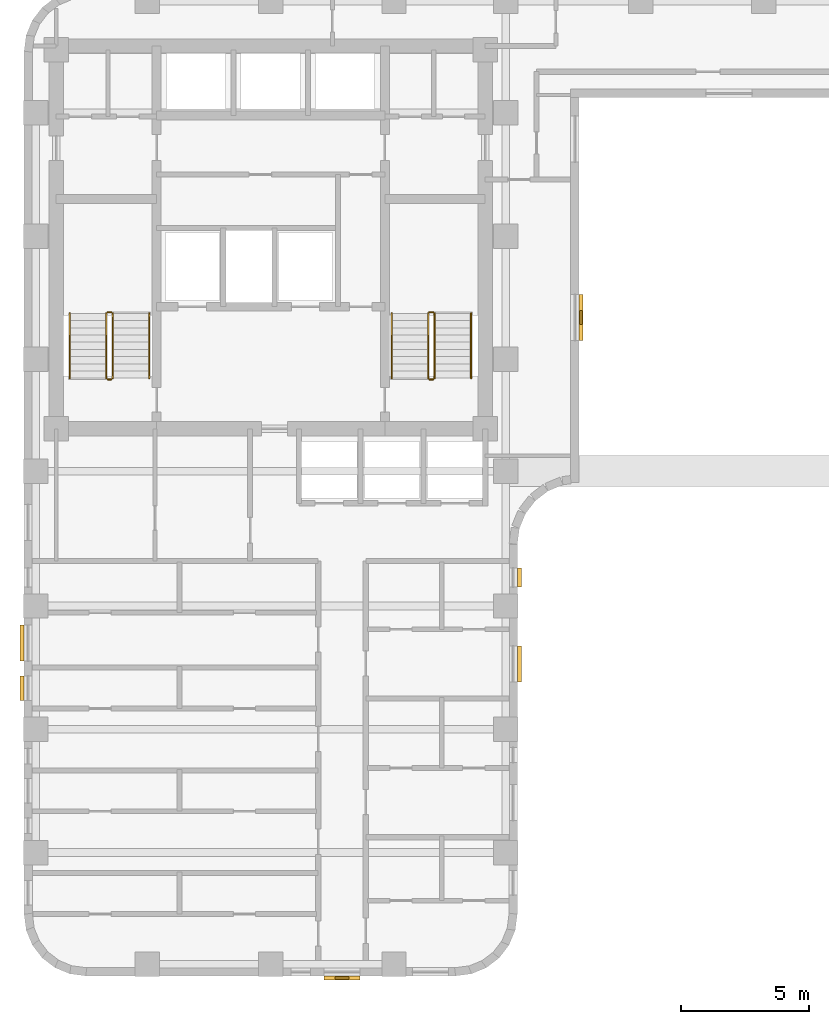
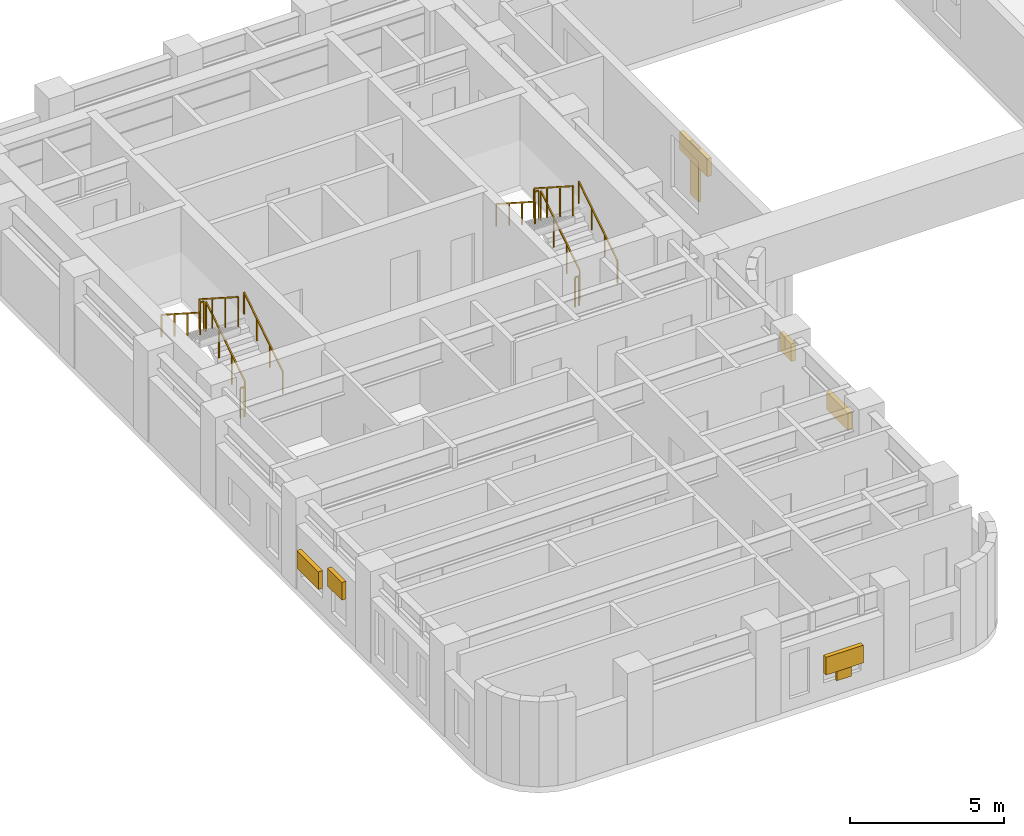
# One storey, part 7 of 8: 12 railings, 8 shading devices.
"""IFC4 building model written with IfcOpenShell, lengths in metres."""

from ifc_helpers import new_model, si_unit, direction, frame, origin, origin_2d, place, context, subcontext, project, spatial, rectangle, extrude, material, type_object, element, save


model = new_model("IFC4")

# Units and contexts
model_context = context("Model", 3, precision=1e-05, world=origin(), true_north=direction((0.0, 1.0)))
body_context = subcontext(model_context, "Body", "Model", "MODEL_VIEW")
ifc_project = project(units=[si_unit("LENGTHUNIT", "METRE"), si_unit("AREAUNIT", "SQUARE_METRE"), si_unit("VOLUMEUNIT", "CUBIC_METRE"), si_unit("PLANEANGLEUNIT", "RADIAN"), si_unit("MASSUNIT", "GRAM", prefix="KILO")], contexts=[model_context])

# Site, building, storey
site_placement = place(None, origin())
site = spatial("IfcSite", under=ifc_project, at=site_placement, CompositionType="ELEMENT")
building_placement = place(site_placement, origin())
building = spatial("IfcBuilding", under=site, at=building_placement, Name="Orvandelia Arch Residences", CompositionType="ELEMENT")
storey_placement = place(building_placement, frame((0.0, 0.0, 107.199951171875)))
storey = spatial("IfcBuildingStorey", under=building, at=storey_placement, Name="L27", CompositionType="ELEMENT", Elevation=107.199951171875)

# Railings
ifc_material_1 = material(Name="Brushed Stainless Steel 304", Category="steel")
railing_type_1 = type_object("IfcRailingType", Name="RL-STAIR-GD1120", PredefinedType="GUARDRAIL", material=ifc_material_1)
railing_1_placement = place(storey_placement, frame((8.25, 32.8701171875, 0.179931640625)))
element("IfcRailing", 1, at=railing_1_placement, inside=storey, type_object=railing_type_1, Name="L27 ST-1 stair guard 1", PredefinedType="GUARDRAIL", context=body_context, shape_type="SweptSolid", body=[
    extrude(rectangle(XDim=0.048095703125, YDim=0.048095703125, at=origin_2d()), frame((0.0, 0.0, 1.17578125), z_axis=(0.0, 0.841138753965, 0.540819375188), x_axis=(-1.0, 0.0, 0.0)), (0.0, 0.0, 1.0), 2.99560546875),
    extrude(rectangle(XDim=0.0419921875, YDim=0.0419921875, at=origin_2d()), origin(), (0.0, 0.0, 1.0), 1.15185546875),
    extrude(rectangle(XDim=0.0419921875, YDim=0.0419921875, at=origin_2d()), frame((0.0, 0.83984375, 0.5400390625)), (0.0, 0.0, 1.0), 1.15185546875),
    extrude(rectangle(XDim=0.0419921875, YDim=0.0419921875, at=origin_2d()), frame((0.0, 1.679931640625, 1.080078125)), (0.0, 0.0, 1.0), 1.15185546875),
    extrude(rectangle(XDim=0.0419921875, YDim=0.0419921875, at=origin_2d()), frame((0.0, 2.519775390625, 1.6201171875)), (0.0, 0.0, 1.0), 1.15185546875),
])
railing_2_placement = place(storey_placement, frame((8.199951171875, 35.43994140625, 1.800048828125)))
element("IfcRailing", 2, at=railing_2_placement, inside=storey, type_object=railing_type_1, Name="L27 ST-1 stair guard 2", PredefinedType="GUARDRAIL", context=body_context, shape_type="SweptSolid", body=[
    extrude(rectangle(XDim=0.048095703125, YDim=0.048095703125, at=origin_2d()), frame((0.0, 0.0, 1.17578125), z_axis=(-1.0, 0.0, 0.0), x_axis=(0.0, -1.0, 0.0)), (0.0, 0.0, 1.0), 0.14990234375),
    extrude(rectangle(XDim=0.0419921875, YDim=0.0419921875, at=origin_2d()), origin(), (0.0, 0.0, 1.0), 1.15185546875),
    extrude(rectangle(XDim=0.0419921875, YDim=0.0419921875, at=origin_2d()), frame((-0.14990234375, 0.0, 0.0)), (0.0, 0.0, 1.0), 1.15185546875),
])
railing_3_placement = place(storey_placement, frame((8.0, 35.389892578125, 1.97998046875)))
element("IfcRailing", 3, at=railing_3_placement, inside=storey, type_object=railing_type_1, Name="L27 ST-1 stair guard 3", PredefinedType="GUARDRAIL", context=body_context, shape_type="SweptSolid", body=[
    extrude(rectangle(XDim=0.048095703125, YDim=0.048095703125, at=origin_2d()), frame((0.0, 0.0, 1.17578125), z_axis=(0.0, -0.841138753965, 0.540819375188), x_axis=(1.0, 0.0, 0.0)), (0.0, 0.0, 1.0), 2.99560546875),
    extrude(rectangle(XDim=0.0419921875, YDim=0.0419921875, at=origin_2d()), origin(), (0.0, 0.0, 1.0), 1.15185546875),
    extrude(rectangle(XDim=0.0419921875, YDim=0.0419921875, at=origin_2d()), frame((0.0, -0.83984375, 0.5400390625)), (0.0, 0.0, 1.0), 1.15185546875),
    extrude(rectangle(XDim=0.0419921875, YDim=0.0419921875, at=origin_2d()), frame((0.0, -1.679931640625, 1.080078125)), (0.0, 0.0, 1.0), 1.15185546875),
    extrude(rectangle(XDim=0.0419921875, YDim=0.0419921875, at=origin_2d()), frame((0.0, -2.519775390625, 1.6201171875)), (0.0, 0.0, 1.0), 1.15185546875),
])
railing_4_placement = place(storey_placement, frame((8.199951171875, 32.820068359375, 0.0)))
element("IfcRailing", 4, at=railing_4_placement, inside=storey, type_object=railing_type_1, Name="L27 ST-1 stair guard 4", PredefinedType="GUARDRAIL", context=body_context, shape_type="SweptSolid", body=[
    extrude(rectangle(XDim=0.048095703125, YDim=0.048095703125, at=origin_2d()), frame((0.0, 0.0, 1.17578125), z_axis=(-1.0, 0.0, 0.0), x_axis=(0.0, -1.0, 0.0)), (0.0, 0.0, 1.0), 0.14990234375),
    extrude(rectangle(XDim=0.0419921875, YDim=0.0419921875, at=origin_2d()), origin(), (0.0, 0.0, 1.0), 1.15185546875),
    extrude(rectangle(XDim=0.0419921875, YDim=0.0419921875, at=origin_2d()), frame((-0.14990234375, 0.0, 0.0)), (0.0, 0.0, 1.0), 1.15185546875),
])
railing_5_placement = place(storey_placement, frame((20.780029296875, 32.8701171875, 0.179931640625)))
element("IfcRailing", 5, at=railing_5_placement, inside=storey, type_object=railing_type_1, Name="L27 ST-2 stair guard 1", PredefinedType="GUARDRAIL", context=body_context, shape_type="SweptSolid", body=[
    extrude(rectangle(XDim=0.048095703125, YDim=0.048095703125, at=origin_2d()), frame((0.0, 0.0, 1.17578125), z_axis=(0.0, 0.841138753965, 0.540819375188), x_axis=(-1.0, 0.0, 0.0)), (0.0, 0.0, 1.0), 2.99560546875),
    extrude(rectangle(XDim=0.0419921875, YDim=0.0419921875, at=origin_2d()), origin(), (0.0, 0.0, 1.0), 1.15185546875),
    extrude(rectangle(XDim=0.0419921875, YDim=0.0419921875, at=origin_2d()), frame((0.0, 0.83984375, 0.5400390625)), (0.0, 0.0, 1.0), 1.15185546875),
    extrude(rectangle(XDim=0.0419921875, YDim=0.0419921875, at=origin_2d()), frame((0.0, 1.679931640625, 1.080078125)), (0.0, 0.0, 1.0), 1.15185546875),
    extrude(rectangle(XDim=0.0419921875, YDim=0.0419921875, at=origin_2d()), frame((0.0, 2.519775390625, 1.6201171875)), (0.0, 0.0, 1.0), 1.15185546875),
])
railing_6_placement = place(storey_placement, frame((20.72998046875, 35.43994140625, 1.800048828125)))
element("IfcRailing", 6, at=railing_6_placement, inside=storey, type_object=railing_type_1, Name="L27 ST-2 stair guard 2", PredefinedType="GUARDRAIL", context=body_context, shape_type="SweptSolid", body=[
    extrude(rectangle(XDim=0.048095703125, YDim=0.048095703125, at=origin_2d()), frame((0.0, 0.0, 1.17578125), z_axis=(-1.0, 0.0, 0.0), x_axis=(0.0, -1.0, 0.0)), (0.0, 0.0, 1.0), 0.14990234375),
    extrude(rectangle(XDim=0.0419921875, YDim=0.0419921875, at=origin_2d()), origin(), (0.0, 0.0, 1.0), 1.15185546875),
    extrude(rectangle(XDim=0.0419921875, YDim=0.0419921875, at=origin_2d()), frame((-0.14990234375, 0.0, 0.0)), (0.0, 0.0, 1.0), 1.15185546875),
])
railing_7_placement = place(storey_placement, frame((20.530029296875, 35.389892578125, 1.97998046875)))
element("IfcRailing", 7, at=railing_7_placement, inside=storey, type_object=railing_type_1, Name="L27 ST-2 stair guard 3", PredefinedType="GUARDRAIL", context=body_context, shape_type="SweptSolid", body=[
    extrude(rectangle(XDim=0.048095703125, YDim=0.048095703125, at=origin_2d()), frame((0.0, 0.0, 1.17578125), z_axis=(0.0, -0.841138753965, 0.540819375188), x_axis=(1.0, 0.0, 0.0)), (0.0, 0.0, 1.0), 2.99560546875),
    extrude(rectangle(XDim=0.0419921875, YDim=0.0419921875, at=origin_2d()), origin(), (0.0, 0.0, 1.0), 1.15185546875),
    extrude(rectangle(XDim=0.0419921875, YDim=0.0419921875, at=origin_2d()), frame((0.0, -0.83984375, 0.5400390625)), (0.0, 0.0, 1.0), 1.15185546875),
    extrude(rectangle(XDim=0.0419921875, YDim=0.0419921875, at=origin_2d()), frame((0.0, -1.679931640625, 1.080078125)), (0.0, 0.0, 1.0), 1.15185546875),
    extrude(rectangle(XDim=0.0419921875, YDim=0.0419921875, at=origin_2d()), frame((0.0, -2.519775390625, 1.6201171875)), (0.0, 0.0, 1.0), 1.15185546875),
])
railing_8_placement = place(storey_placement, frame((20.72998046875, 32.820068359375, 0.0)))
element("IfcRailing", 8, at=railing_8_placement, inside=storey, type_object=railing_type_1, Name="L27 ST-2 stair guard 4", PredefinedType="GUARDRAIL", context=body_context, shape_type="SweptSolid", body=[
    extrude(rectangle(XDim=0.048095703125, YDim=0.048095703125, at=origin_2d()), frame((0.0, 0.0, 1.17578125), z_axis=(-1.0, 0.0, 0.0), x_axis=(0.0, -1.0, 0.0)), (0.0, 0.0, 1.0), 0.14990234375),
    extrude(rectangle(XDim=0.0419921875, YDim=0.0419921875, at=origin_2d()), origin(), (0.0, 0.0, 1.0), 1.15185546875),
    extrude(rectangle(XDim=0.0419921875, YDim=0.0419921875, at=origin_2d()), frame((-0.14990234375, 0.0, 0.0)), (0.0, 0.0, 1.0), 1.15185546875),
])
railing_type_2 = type_object("IfcRailingType", Name="RL-STAIR-HR920", PredefinedType="HANDRAIL", material=ifc_material_1)
railing_9_placement = place(storey_placement, frame((9.669921875, 32.8701171875, 0.360107421875)))
element("IfcRailing", 9, at=railing_9_placement, inside=storey, type_object=railing_type_2, Name="L27 ST-1 stair handrail 1", PredefinedType="HANDRAIL", context=body_context, shape_type="SweptSolid", body=[
    extrude(rectangle(XDim=0.048095703125, YDim=0.048095703125, at=origin_2d()), frame((0.0, 0.0, 0.8759765625), z_axis=(0.0, 0.841175827307, 0.540761710511), x_axis=(-1.0, 0.0, 0.0)), (0.0, 0.0, 1.0), 2.99560546875),
    extrude(rectangle(XDim=0.0419921875, YDim=0.0419921875, at=origin_2d()), origin(), (0.0, 0.0, 1.0), 0.851806640625),
    extrude(rectangle(XDim=0.0419921875, YDim=0.0419921875, at=origin_2d()), frame((0.0, 0.83984375, 0.5400390625)), (0.0, 0.0, 1.0), 0.851806640625),
    extrude(rectangle(XDim=0.0419921875, YDim=0.0419921875, at=origin_2d()), frame((0.0, 1.679931640625, 1.079833984375)), (0.0, 0.0, 1.0), 0.851806640625),
    extrude(rectangle(XDim=0.0419921875, YDim=0.0419921875, at=origin_2d()), frame((0.0, 2.519775390625, 1.619873046875)), (0.0, 0.0, 1.0), 0.851806640625),
])
railing_10_placement = place(storey_placement, frame((6.580078125, 35.389892578125, 2.16015625)))
element("IfcRailing", 10, at=railing_10_placement, inside=storey, type_object=railing_type_2, Name="L27 ST-1 stair handrail 2", PredefinedType="HANDRAIL", context=body_context, shape_type="SweptSolid", body=[
    extrude(rectangle(XDim=0.048095703125, YDim=0.048095703125, at=origin_2d()), frame((0.0, 0.0, 0.8759765625), z_axis=(0.0, -0.841175827307, 0.540761710511), x_axis=(1.0, 0.0, 0.0)), (0.0, 0.0, 1.0), 2.99560546875),
    extrude(rectangle(XDim=0.0419921875, YDim=0.0419921875, at=origin_2d()), origin(), (0.0, 0.0, 1.0), 0.851806640625),
    extrude(rectangle(XDim=0.0419921875, YDim=0.0419921875, at=origin_2d()), frame((0.0, -0.83984375, 0.5400390625)), (0.0, 0.0, 1.0), 0.851806640625),
    extrude(rectangle(XDim=0.0419921875, YDim=0.0419921875, at=origin_2d()), frame((0.0, -1.679931640625, 1.079833984375)), (0.0, 0.0, 1.0), 0.851806640625),
    extrude(rectangle(XDim=0.0419921875, YDim=0.0419921875, at=origin_2d()), frame((0.0, -2.519775390625, 1.619873046875)), (0.0, 0.0, 1.0), 0.851806640625),
])
railing_11_placement = place(storey_placement, frame((22.199951171875, 32.8701171875, 0.360107421875)))
element("IfcRailing", 11, at=railing_11_placement, inside=storey, type_object=railing_type_2, Name="L27 ST-2 stair handrail 1", PredefinedType="HANDRAIL", context=body_context, shape_type="SweptSolid", body=[
    extrude(rectangle(XDim=0.048095703125, YDim=0.048095703125, at=origin_2d()), frame((0.0, 0.0, 0.8759765625), z_axis=(0.0, 0.841175827307, 0.540761710511), x_axis=(-1.0, 0.0, 0.0)), (0.0, 0.0, 1.0), 2.99560546875),
    extrude(rectangle(XDim=0.0419921875, YDim=0.0419921875, at=origin_2d()), origin(), (0.0, 0.0, 1.0), 0.851806640625),
    extrude(rectangle(XDim=0.0419921875, YDim=0.0419921875, at=origin_2d()), frame((0.0, 0.83984375, 0.5400390625)), (0.0, 0.0, 1.0), 0.851806640625),
    extrude(rectangle(XDim=0.0419921875, YDim=0.0419921875, at=origin_2d()), frame((0.0, 1.679931640625, 1.079833984375)), (0.0, 0.0, 1.0), 0.851806640625),
    extrude(rectangle(XDim=0.0419921875, YDim=0.0419921875, at=origin_2d()), frame((0.0, 2.519775390625, 1.619873046875)), (0.0, 0.0, 1.0), 0.851806640625),
])
railing_12_placement = place(storey_placement, frame((19.110107421875, 35.389892578125, 2.16015625)))
element("IfcRailing", 12, at=railing_12_placement, inside=storey, type_object=railing_type_2, Name="L27 ST-2 stair handrail 2", PredefinedType="HANDRAIL", context=body_context, shape_type="SweptSolid", body=[
    extrude(rectangle(XDim=0.048095703125, YDim=0.048095703125, at=origin_2d()), frame((0.0, 0.0, 0.8759765625), z_axis=(0.0, -0.841175827307, 0.540761710511), x_axis=(1.0, 0.0, 0.0)), (0.0, 0.0, 1.0), 2.99560546875),
    extrude(rectangle(XDim=0.0419921875, YDim=0.0419921875, at=origin_2d()), origin(), (0.0, 0.0, 1.0), 0.851806640625),
    extrude(rectangle(XDim=0.0419921875, YDim=0.0419921875, at=origin_2d()), frame((0.0, -0.83984375, 0.5400390625)), (0.0, 0.0, 1.0), 0.851806640625),
    extrude(rectangle(XDim=0.0419921875, YDim=0.0419921875, at=origin_2d()), frame((0.0, -1.679931640625, 1.079833984375)), (0.0, 0.0, 1.0), 0.851806640625),
    extrude(rectangle(XDim=0.0419921875, YDim=0.0419921875, at=origin_2d()), frame((0.0, -2.519775390625, 1.619873046875)), (0.0, 0.0, 1.0), 0.851806640625),
])

# Shading devices
ifc_material_2 = material(Name="Anodised Champagne-Bronze Extruded Aluminium", Category="aluminium")
shading_device_type_1 = type_object("IfcShadingDeviceType", Name="SHD-JALOUSIE-SCREEN", PredefinedType="JALOUSIE", material=ifc_material_2)
shading_device_1_placement = place(storey_placement, frame((26.47998046875, 35.235107421875, 2.2001953125), z_axis=(0.0, 0.0, 1.0), x_axis=(0.0, -1.0, 0.0)))
element("IfcShadingDevice", 13, at=shading_device_1_placement, inside=storey, type_object=shading_device_type_1, Name="Bronze Jalousie Sun-Shade L27-003", PredefinedType="JALOUSIE", context=body_context, shape_type="SweptSolid", body=[
    extrude(rectangle(XDim=1.800048828125, YDim=0.159912109375, at=origin_2d()), origin(), (0.0, 0.0, 1.0), 0.699951171875),
])
shading_device_2_placement = place(storey_placement, frame((24.080078125, 21.74609375, 1.05029296875), z_axis=(0.0, 0.0, 1.0), x_axis=(0.0, -1.0, 0.0)))
element("IfcShadingDevice", 14, at=shading_device_2_placement, inside=storey, type_object=shading_device_type_1, Name="Bronze Jalousie Sun-Shade L27-004", PredefinedType="JALOUSIE", context=body_context, shape_type="SweptSolid", body=[
    extrude(rectangle(XDim=1.39990234375, YDim=0.159912109375, at=origin_2d()), origin(), (0.0, 0.0, 1.0), 0.699951171875),
])
shading_device_3_placement = place(storey_placement, frame((24.080078125, 25.107421875, 1.55029296875), z_axis=(0.0, 0.0, 1.0), x_axis=(0.0, -1.0, 0.0)))
element("IfcShadingDevice", 15, at=shading_device_3_placement, inside=storey, type_object=shading_device_type_1, Name="Bronze Jalousie Sun-Shade L27-005", PredefinedType="JALOUSIE", context=body_context, shape_type="SweptSolid", body=[
    extrude(rectangle(XDim=0.75, YDim=0.159912109375, at=origin_2d()), origin(), (0.0, 0.0, 1.0), 0.699951171875),
])
for number, where, z_axis, x_axis, name in (
    (16, (17.175048828125, 9.52001953125, 1.05029296875), (0.0, 0.0, 1.0), (-1.0, 0.0, 0.0), "Bronze Jalousie Sun-Shade L27-006"),
    (17, (4.719970703125, 22.552490234375, 1.05029296875), (0.0, 0.0, 1.0), (0.0, 1.0, 0.0), "Bronze Jalousie Sun-Shade L27-007"),
):
    element("IfcShadingDevice", number, at=place(storey_placement, frame(where, z_axis=z_axis, x_axis=x_axis)), inside=storey, type_object=shading_device_type_1, Name=name, PredefinedType="JALOUSIE", context=body_context, shape_type="SweptSolid", body=[
        extrude(rectangle(XDim=1.39990234375, YDim=0.159912109375, at=origin_2d()), origin(), (0.0, 0.0, 1.0), 0.699951171875),
    ])
shading_device_4_placement = place(storey_placement, frame((4.719970703125, 20.804931640625, 1.55029296875), z_axis=(0.0, 0.0, 1.0), x_axis=(0.0, 1.0, 0.0)))
element("IfcShadingDevice", 18, at=shading_device_4_placement, inside=storey, type_object=shading_device_type_1, Name="Bronze Jalousie Sun-Shade L27-008", PredefinedType="JALOUSIE", context=body_context, shape_type="SweptSolid", body=[
    extrude(rectangle(XDim=0.949951171875, YDim=0.159912109375, at=origin_2d()), origin(), (0.0, 0.0, 1.0), 0.699951171875),
])
ifc_material_3 = material(Name="Marine-Grade Perforated Aluminium Storm Shutter", Category="aluminium")
shading_device_type_2 = type_object("IfcShadingDeviceType", Name="SHD-STORM-SHUTTER", PredefinedType="SHUTTER", material=ifc_material_3)
shading_device_5_placement = place(storey_placement, frame((26.47998046875, 35.235107421875, 0.800048828125), z_axis=(0.0, 0.0, 1.0), x_axis=(0.0, -1.0, 0.0)))
element("IfcShadingDevice", 19, at=shading_device_5_placement, inside=storey, type_object=shading_device_type_2, Name="Operable Typhoon Storm Shutter L27-003", PredefinedType="SHUTTER", context=body_context, shape_type="SweptSolid", body=[
    extrude(rectangle(XDim=0.550048828125, YDim=0.080078125, at=origin_2d()), origin(), (0.0, 0.0, 1.0), 2.10009765625),
])
shading_device_6_placement = place(storey_placement, frame((17.175048828125, 9.52001953125, 0.64990234375), z_axis=(0.0, 0.0, 1.0), x_axis=(-1.0, 0.0, 0.0)))
element("IfcShadingDevice", 20, at=shading_device_6_placement, inside=storey, type_object=shading_device_type_2, Name="Operable Typhoon Storm Shutter L27-006", PredefinedType="SHUTTER", context=body_context, shape_type="SweptSolid", body=[
    extrude(rectangle(XDim=0.550048828125, YDim=0.080078125, at=origin_2d()), origin(), (0.0, 0.0, 1.0), 1.10009765625),
])

save(model, "model.ifc")
